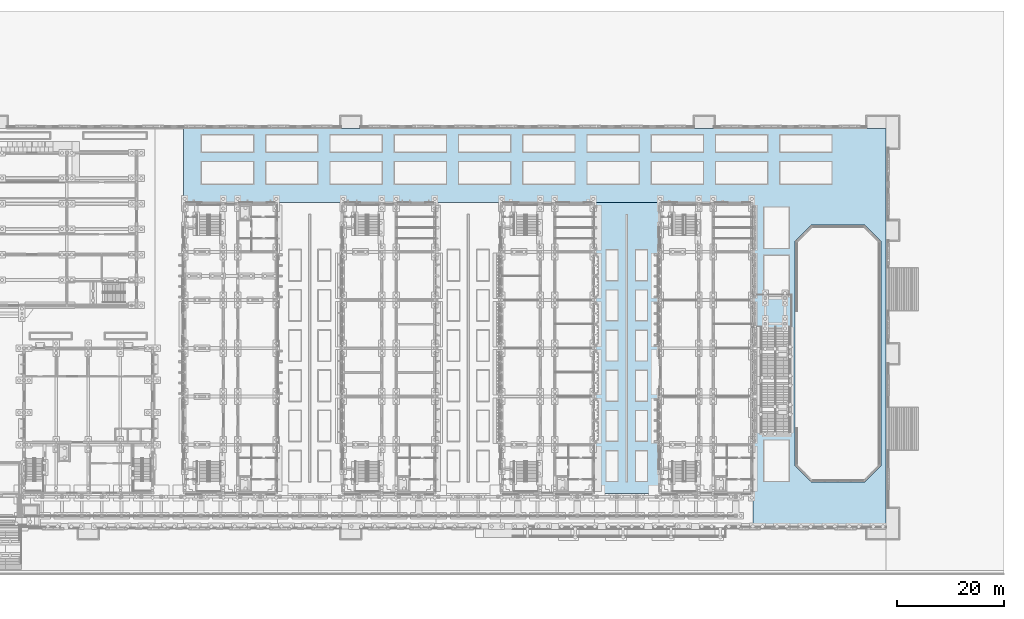
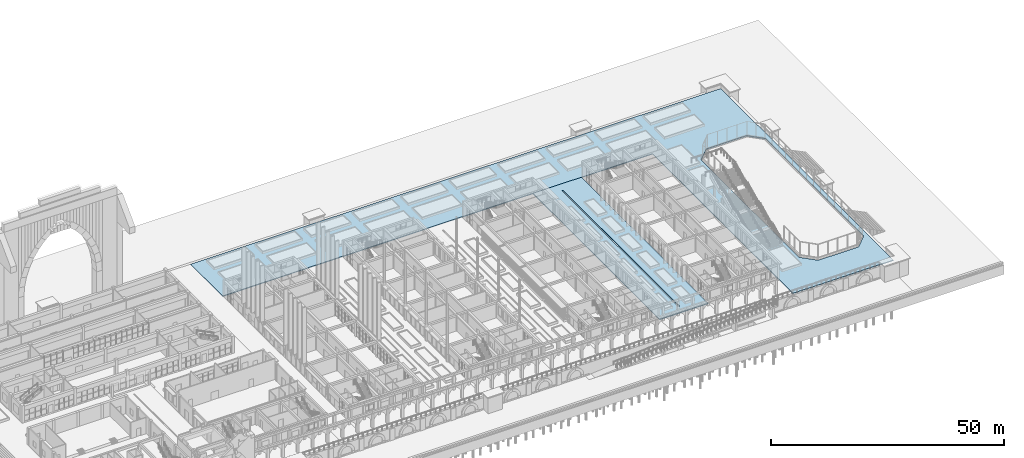
# One storey, part 51 of 161: 2 slabs.
"""IFC4 building model written with IfcOpenShell, lengths in metres."""

from ifc_helpers import new_model, si_unit, direction, frame, origin, place, context, subcontext, project, spatial, polyline, outline, extrude, material, layer, layer_set, type_object, element, save


model = new_model("IFC4")

# Units and contexts
model_context = context("Model", 3, precision=1e-05, world=origin(), true_north=direction((0.0, 1.0)))
body_context = subcontext(model_context, "Body", "Model", "MODEL_VIEW")
ifc_project = project(units=[si_unit("LENGTHUNIT", "METRE"), si_unit("AREAUNIT", "SQUARE_METRE"), si_unit("VOLUMEUNIT", "CUBIC_METRE"), si_unit("PLANEANGLEUNIT", "RADIAN"), si_unit("MASSUNIT", "GRAM", prefix="KILO")], contexts=[model_context])

# Site, building, storey
site_placement = place(None, origin())
site = spatial("IfcSite", under=ifc_project, at=site_placement, CompositionType="ELEMENT")
building_placement = place(site_placement, origin())
building = spatial("IfcBuilding", under=site, at=building_placement, Name="Elbe Cascade School", CompositionType="ELEMENT")
storey_placement = place(building_placement, origin())
storey = spatial("IfcBuildingStorey", under=building, at=storey_placement, Name="L00", CompositionType="ELEMENT", Elevation=0.0)

# Slabs
ifc_material = material(Name="Concrete C30/37", Category="concrete")
ifc_layer = layer(ifc_material, 0.199951171875)
ifc_layer_set = layer_set([ifc_layer], Name="Concrete C30/37")
slab_type = type_object("IfcSlabType", Name="Paving slab 200", PredefinedType="BASESLAB", material=ifc_layer_set)
slab_1_placement = place(storey_placement, frame((0.0, 0.0, -0.199951171875)))
element("IfcSlab", 1, at=slab_1_placement, inside=storey, type_object=slab_type, Name="Court C-D paving", PredefinedType="BASESLAB", context=body_context, shape_type="SweptSolid", body=[
    extrude(outline(polyline([(145.550048828125, 14.75), (145.550048828125, 6.25), (145.550048828125, 5.85009765625), (157.550048828125, 5.85009765625), (157.550048828125, 6.25), (157.550048828125, 14.75), (157.550048828125, 15.25), (157.550048828125, 23.75), (157.550048828125, 24.25), (157.550048828125, 32.75), (157.550048828125, 33.25), (157.550048828125, 41.75), (157.550048828125, 42.25), (157.550048828125, 50.75), (157.550048828125, 51.25), (157.550048828125, 59.75), (157.550048828125, 60.25), (145.550048828125, 60.25), (145.550048828125, 59.75), (145.550048828125, 51.25), (145.550048828125, 50.75), (145.550048828125, 42.25), (145.550048828125, 41.75), (145.550048828125, 33.25), (145.550048828125, 32.75), (145.550048828125, 24.25), (145.550048828125, 23.75), (145.550048828125, 15.25), (145.550048828125, 14.75)]), holes=[polyline([(151.699951171875, 8.0), (151.39990234375, 8.0), (151.39990234375, 58.0), (151.699951171875, 58.0), (151.699951171875, 8.0)])]), origin(), (0.0, 0.0, 1.0), 0.199951171875),
])
slab_2_placement = place(storey_placement, frame((0.0, 0.0, -0.199951171875)))
element("IfcSlab", 2, at=slab_2_placement, inside=storey, type_object=slab_type, Name="East and north margin paving", PredefinedType="BASESLAB", context=body_context, shape_type="SweptSolid", body=[
    extrude(outline(polyline([(200.0, 74.0), (68.75, 74.0), (68.75, 60.25), (69.25, 60.25), (75.949951171875, 60.25), (76.449951171875, 60.25), (78.64990234375, 60.25), (79.14990234375, 60.25), (85.85009765625, 60.25), (86.35009765625, 60.25), (98.35009765625, 60.25), (98.85009765625, 60.25), (105.550048828125, 60.25), (106.050048828125, 60.25), (108.25, 60.25), (108.75, 60.25), (115.449951171875, 60.25), (115.949951171875, 60.25), (127.949951171875, 60.25), (127.949951171875, 60.25), (128.449951171875, 60.25), (135.14990234375, 60.25), (135.64990234375, 60.25), (137.85009765625, 60.25), (138.35009765625, 60.25), (145.050048828125, 60.25), (145.550048828125, 60.25), (157.550048828125, 60.25), (158.050048828125, 60.25), (164.75, 60.25), (165.25, 60.25), (167.449951171875, 60.25), (167.949951171875, 60.25), (174.64990234375, 60.25), (175.14990234375, 60.25), (175.14990234375, 59.75), (175.14990234375, 51.25), (175.14990234375, 50.75), (175.14990234375, 42.25), (175.14990234375, 41.75), (175.14990234375, 33.25), (175.14990234375, 32.75), (175.14990234375, 24.25), (175.14990234375, 23.75), (175.14990234375, 15.25), (175.14990234375, 14.75), (175.14990234375, 6.25), (175.14990234375, 5.75), (175.14990234375, 0.0), (200.0, 0.0), (200.0, 74.0)]), holes=[polyline([(196.0, 56.0), (199.0, 53.0), (199.0, 11.0), (196.0, 8.0), (186.0, 8.0), (183.0, 11.0), (183.0, 53.0), (186.0, 56.0), (196.0, 56.0)])]), origin(), (0.0, 0.0, 1.0), 0.199951171875),
])

save(model, "model.ifc")
